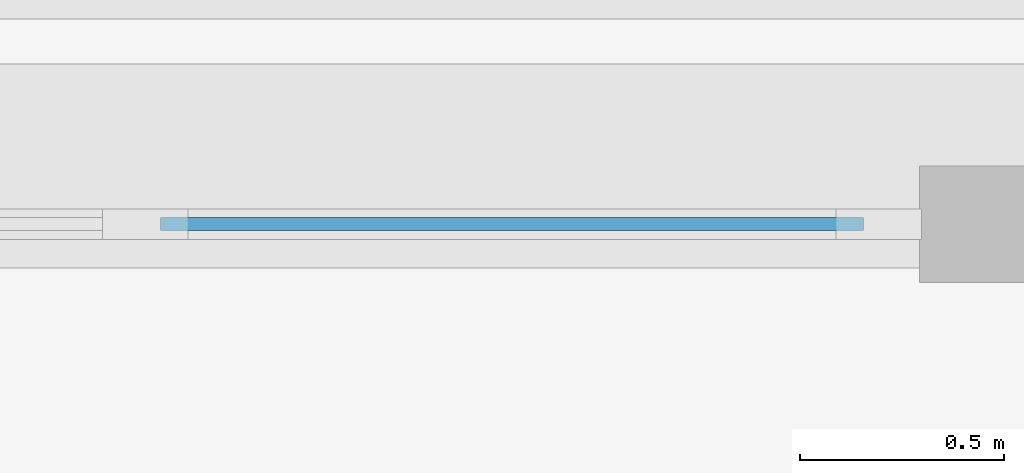
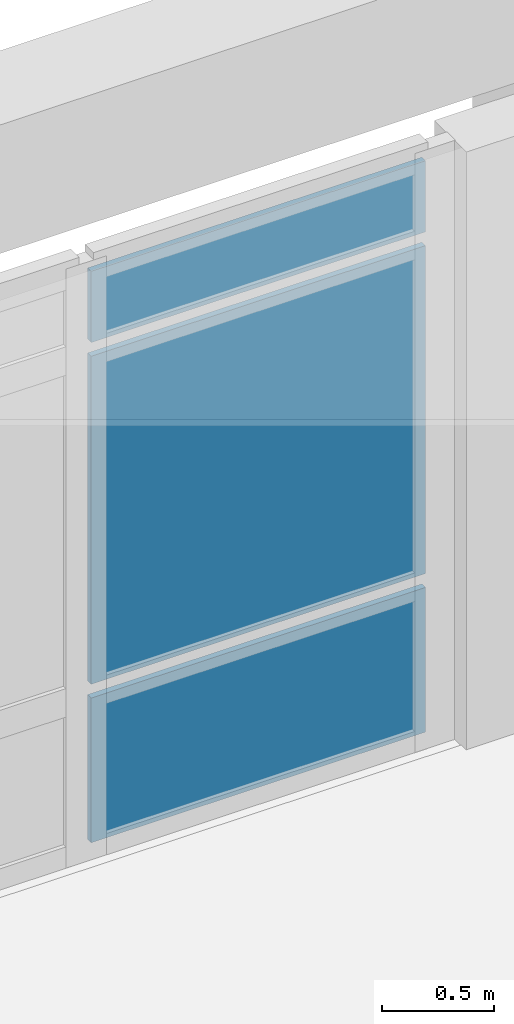
# One storey, part 46 of 67: 3 plates, 1 element without a shape of its own.
"""IFC4 building model written with IfcOpenShell, lengths in metres."""

from ifc_helpers import new_model, si_unit, direction, frame, origin, origin_2d, place, context, subcontext, project, spatial, rectangle, extrude, material, layer, layer_set, type_object, element, aggregate, save


model = new_model("IFC4")

# Units and contexts
model_context = context("Model", 3, precision=1e-05, world=origin(), true_north=direction((0.0, 1.0)))
body_context = subcontext(model_context, "Body", "Model", "MODEL_VIEW")
ifc_project = project(units=[si_unit("LENGTHUNIT", "METRE"), si_unit("AREAUNIT", "SQUARE_METRE"), si_unit("VOLUMEUNIT", "CUBIC_METRE"), si_unit("PLANEANGLEUNIT", "RADIAN"), si_unit("MASSUNIT", "GRAM", prefix="KILO")], contexts=[model_context])

# Site, building, storey
site_placement = place(None, origin())
site = spatial("IfcSite", under=ifc_project, at=site_placement, CompositionType="ELEMENT")
building_placement = place(site_placement, origin())
building = spatial("IfcBuilding", under=site, at=building_placement, Name="Solenvale Faculty of Natural Sciences", CompositionType="ELEMENT")
storey_placement = place(building_placement, frame((0.0, 0.0, 13.5)))
storey = spatial("IfcBuildingStorey", under=building, at=storey_placement, Name="L03", CompositionType="ELEMENT", Elevation=13.5)

# Curtain wall, plates
ifc_material_1 = material(Name="Anodised bronze aluminium", Category="aluminium")
ifc_layer_1 = layer(ifc_material_1, 0.179931640625)
ifc_layer_set_1 = layer_set([ifc_layer_1], Name="Anodised bronze aluminium")
curtain_wall_type = type_object("IfcCurtainWallType", Name="CW-TWR-MOD", PredefinedType="USERDEFINED", material=ifc_layer_set_1)
curtain_wall_placement = place(storey_placement, origin())
curtain_wall = element("IfcCurtainWall", 1, at=curtain_wall_placement, inside=storey, type_object=curtain_wall_type, Name="L03 Curtain Wall CW-L03-P3-E4-B1", ObjectType="UNITISED CURTAIN WALL", PredefinedType="USERDEFINED")
ifc_material_2 = material(Name="Triple low-E insulated glass", Category="glass")
ifc_layer_2 = layer(ifc_material_2, 0.031982421875)
ifc_layer_set_2 = layer_set([ifc_layer_2], Name="Triple low-E insulated glass")
plate_type = type_object("IfcPlateType", Name="CWP-PNL-32", PredefinedType="CURTAIN_PANEL", material=ifc_layer_set_2)
plate_1_placement = place(storey_placement, frame((149.41455078125, 115.0576171875, 0.074951171875), z_axis=(0.0, 0.0, 1.0), x_axis=(-1.0, 0.0, 0.0)))
plate_1 = element("IfcPlate", 2, at=plate_1_placement, type_object=plate_type, Name="CW-04 panel 1.1", PredefinedType="CURTAIN_PANEL", context=body_context, shape_type="SweptSolid", body=[
    extrude(rectangle(XDim=1.720947265625, YDim=0.031982421875, at=origin_2d()), origin(), (0.0, 0.0, 1.0), 0.78759765625),
])
plate_2_placement = place(storey_placement, frame((149.41455078125, 115.0576171875, 0.9375), z_axis=(0.0, 0.0, 1.0), x_axis=(-1.0, 0.0, 0.0)))
plate_2 = element("IfcPlate", 3, at=plate_2_placement, type_object=plate_type, Name="CW-04 panel 1.2", PredefinedType="CURTAIN_PANEL", context=body_context, shape_type="SweptSolid", body=[
    extrude(rectangle(XDim=1.720947265625, YDim=0.031982421875, at=origin_2d()), origin(), (0.0, 0.0, 1.0), 1.784912109375),
])
plate_3_placement = place(storey_placement, frame((149.41455078125, 115.0576171875, 2.79736328125), z_axis=(0.0, 0.0, 1.0), x_axis=(-1.0, 0.0, 0.0)))
plate_3 = element("IfcPlate", 4, at=plate_3_placement, type_object=plate_type, Name="CW-04 panel 1.3", PredefinedType="CURTAIN_PANEL", context=body_context, shape_type="SweptSolid", body=[
    extrude(rectangle(XDim=1.720947265625, YDim=0.031982421875, at=origin_2d()), origin(), (0.0, 0.0, 1.0), 0.387451171875),
])
aggregate(curtain_wall, [plate_1, plate_2, plate_3])

save(model, "model.ifc")
